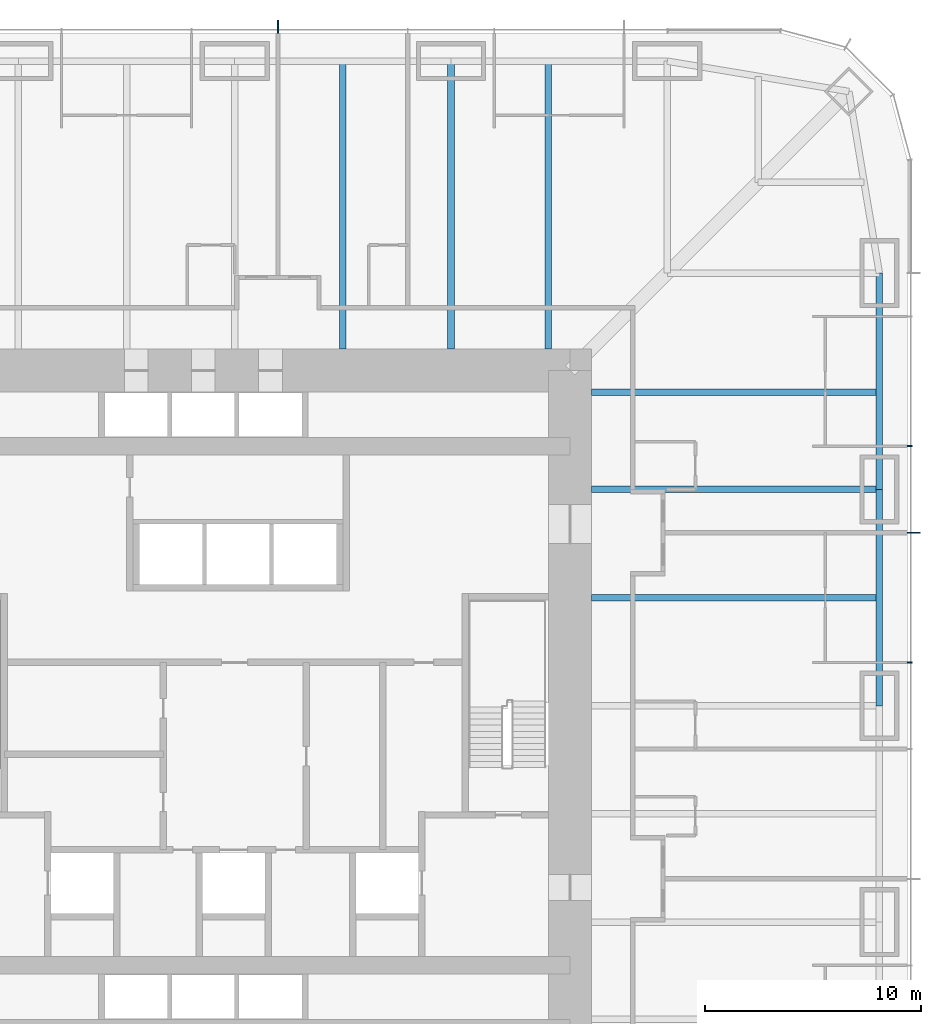
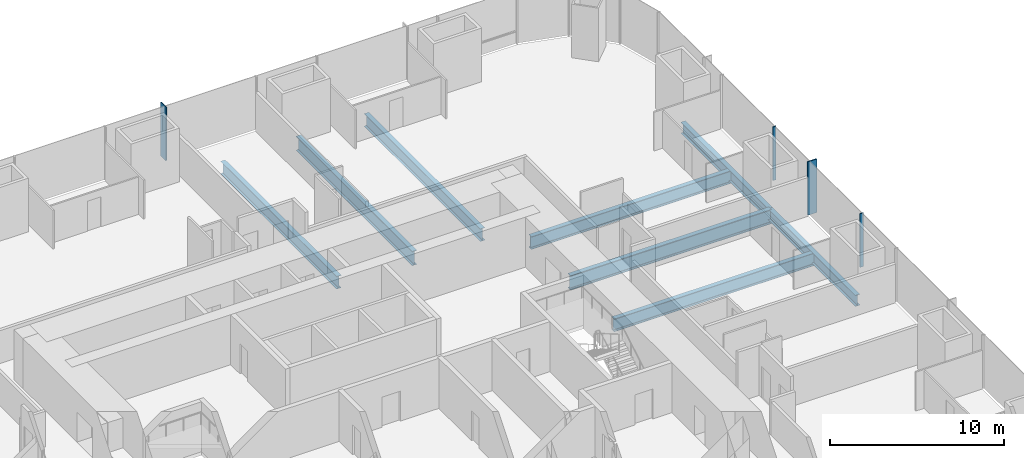
# One storey, part 8 of 16: 8 beams, 4 members, 2 elements without a shape of their own.
"""IFC4 building model written with IfcOpenShell, lengths in metres."""

import ifcopenshell
import ifcopenshell.guid

model = None  # the IFC model being written
_history = None  # IfcOwnerHistory: only IFC2X3 demands one
_inside = {}  # id of a spatial element -> (the spatial element, [elements in it])
_under = {}  # id of a project, library or spatial element -> (it, [spatial elements below it])
_declared = {}  # id of a project -> (the project, [libraries it declares])
_typed = {}  # id of a type object -> (the type object, [elements of that type])
_made_of = {}  # id of a material, layer set ... -> (it, [elements and type objects made of it])


def new_model(schema):
    """Start an empty IFC model of exactly this schema.

    Asked for "IFC4X3", IfcOpenShell would pick the latest addendum, in which some entities
    have other attributes; the version numbers below select the first issue.
    IFC2X3 requires an IfcOwnerHistory on every rooted entity: one is made here for all.
    """
    global model, _history
    if schema == "IFC4X3":
        model = ifcopenshell.file(schema_version=(4, 3, 0, 0))
    else:
        model = ifcopenshell.file(schema=schema)
    _inside.clear()
    _under.clear()
    _declared.clear()
    _typed.clear()
    _made_of.clear()
    _history = None
    if model.schema == "IFC2X3":
        org = make("IfcOrganization", Name="unknown")
        user = make(
            "IfcPersonAndOrganization",
            ThePerson=make("IfcPerson", FamilyName="unknown"),
            TheOrganization=org,
        )
        app = make(
            "IfcApplication",
            ApplicationDeveloper=org,
            Version="unknown",
            ApplicationFullName="unknown",
            ApplicationIdentifier="unknown",
        )
        _history = make(
            "IfcOwnerHistory",
            OwningUser=user,
            OwningApplication=app,
            ChangeAction="ADDED",
            CreationDate=0,
        )
    return model


def make(cls, **values):
    """One entity of the class cls with the attributes given. An attribute that is None is left unset."""
    return model.create_entity(
        cls, **{name: value for name, value in values.items() if value is not None}
    )


def rooted(cls, **values):
    """An entity with a GlobalId (a new one), such as an element, a storey or a relation."""
    return make(cls, GlobalId=ifcopenshell.guid.new(), OwnerHistory=_history, **values)


def si_unit(unit_type, name, prefix=None):
    """IfcSIUnit, for example si_unit("LENGTHUNIT", "METRE", prefix="MILLI")."""
    return make("IfcSIUnit", UnitType=unit_type, Prefix=prefix, Name=name)


def assignment(units):
    """IfcUnitAssignment: the units of a project."""
    return None if units is None else make("IfcUnitAssignment", Units=units)


def point(xyz):
    """IfcCartesianPoint."""
    return None if xyz is None else make("IfcCartesianPoint", Coordinates=xyz)


def direction(xyz):
    """IfcDirection."""
    return None if xyz is None else make("IfcDirection", DirectionRatios=xyz)


def frame(location, z_axis=None, x_axis=None):
    """IfcAxis2Placement3D, a coordinate frame: its origin and axes. An axis left out is left unset."""
    return make(
        "IfcAxis2Placement3D",
        Location=point(location),
        Axis=direction(z_axis),
        RefDirection=direction(x_axis),
    )


def frame_2d(location, x_axis=None):
    """IfcAxis2Placement2D, a coordinate frame in the plane: its origin and x axis."""
    return make(
        "IfcAxis2Placement2D", Location=point(location), RefDirection=direction(x_axis)
    )


def origin():
    """The frame at (0, 0, 0) with its axes left unset."""
    return frame((0.0, 0.0, 0.0))


def origin_2d():
    """The frame at (0, 0) in the plane with its x axis left unset."""
    return frame_2d((0.0, 0.0))


def place(relative_to, where):
    """IfcLocalPlacement: puts the frame where relative to a parent placement (None: the world)."""
    return make(
        "IfcLocalPlacement", PlacementRelTo=relative_to, RelativePlacement=where
    )


def context(
    kind, dimensions, precision=None, world=None, true_north=None, identifier=None
):
    """IfcGeometricRepresentationContext, for example the 3D "Model" context."""
    return make(
        "IfcGeometricRepresentationContext",
        ContextIdentifier=identifier,
        ContextType=kind,
        CoordinateSpaceDimension=dimensions,
        Precision=precision,
        WorldCoordinateSystem=world,
        TrueNorth=true_north,
    )


def subcontext(parent, identifier, kind, view, scale=None):
    """IfcGeometricRepresentationSubContext, for example "Body" below "Model"."""
    return make(
        "IfcGeometricRepresentationSubContext",
        ContextIdentifier=identifier,
        ContextType=kind,
        ParentContext=parent,
        TargetScale=scale,
        TargetView=view,
    )


def project(units=None, contexts=None):
    """IfcProject with its units and contexts."""
    return rooted(
        "IfcProject",
        Name="project",
        RepresentationContexts=contexts,
        UnitsInContext=assignment(units),
    )


def spatial(cls, under=None, at=None, **own):
    """A site, building, storey or space (cls), placed at a placement, below another one or the project."""
    s = rooted(cls, ObjectPlacement=at, **own)
    if under is not None:
        _under.setdefault(under.id(), (under, []))[1].append(s)
    return s


def profile(cls, at=None, kind="AREA", **sizes):
    """A parametric profile (cls). Its sizes go by their IFC names, for example OverallWidth=200.0."""
    return make(cls, ProfileType=kind, Position=at, **sizes)


def rectangle(**sizes):
    """IfcRectangleProfileDef."""
    return profile("IfcRectangleProfileDef", **sizes)


def i_section(**sizes):
    """IfcIShapeProfileDef."""
    return profile("IfcIShapeProfileDef", **sizes)


def extrude(swept, where, along, depth):
    """IfcExtrudedAreaSolid: the profile swept, set in the frame where, extruded along a direction by depth."""
    return make(
        "IfcExtrudedAreaSolid",
        SweptArea=swept,
        Position=where,
        ExtrudedDirection=direction(along),
        Depth=depth,
    )


def shape(context_of_items, identifier, shape_type, items):
    """IfcShapeRepresentation: the items that make up one representation, for example the "Body"."""
    return make(
        "IfcShapeRepresentation",
        ContextOfItems=context_of_items,
        RepresentationIdentifier=identifier,
        RepresentationType=shape_type,
        Items=items,
    )


def material(Name=None, Category=None):
    """IfcMaterial."""
    return make("IfcMaterial", Name=Name, Category=Category)


def material_profile(
    of_material, cross_section, Name=None, Category=None, Priority=None
):
    """IfcMaterialProfile: a cross section and its material."""
    return make(
        "IfcMaterialProfile",
        Name=Name,
        Material=of_material,
        Profile=cross_section,
        Priority=Priority,
        Category=Category,
    )


def profile_set(profiles, Name=None, composite=None):
    """IfcMaterialProfileSet."""
    return make(
        "IfcMaterialProfileSet",
        Name=Name,
        MaterialProfiles=profiles,
        CompositeProfile=composite,
    )


def made_of(thing, what):
    """Note that an element or type object is made of a material, layer set ...; save() writes the relation."""
    if what is not None:
        _made_of.setdefault(what.id(), (what, []))[1].append(thing)
    return thing


def type_object(cls, material=None, **own):
    """A type object (cls), such as IfcWallType, which elements share."""
    return made_of(rooted(cls, **own), material)


def element(
    cls,
    number,
    at=None,
    inside=None,
    cuts=None,
    type_object=None,
    material=None,
    context=None,
    identifier="Body",
    shape_type=None,
    held_by="IfcProductDefinitionShape",
    body=None,
    shapes=None,
    **own,
):
    """One element of the class cls, such as IfcWall. Its Tag is "e" and its number.

    at: its placement. inside: the storey or other place that contains it. cuts: it is an
    opening in that element (IfcRelVoidsElement). A single representation is given by context,
    identifier, shape_type and body (its items); several are given by shapes. held_by: the class
    of the entity that holds the representations. save() writes the other relations.
    """
    e = rooted(cls, Tag="e%d" % number, ObjectPlacement=at, **own)
    if body is not None:
        shapes = [shape(context, identifier, shape_type, body)]
    if shapes is not None:
        e.Representation = make(held_by, Representations=shapes)
    if inside is not None:
        _inside.setdefault(inside.id(), (inside, []))[1].append(e)
    if cuts is not None:
        rooted(
            "IfcRelVoidsElement", RelatingBuildingElement=cuts, RelatedOpeningElement=e
        )
    if type_object is not None:
        _typed.setdefault(type_object.id(), (type_object, []))[1].append(e)
    return made_of(e, material)


def aggregate(whole, parts):
    """IfcRelAggregates: a whole, such as a stair, and the parts it consists of."""
    return rooted("IfcRelAggregates", RelatingObject=whole, RelatedObjects=parts)


def save(model, path):
    """Write the relations noted so far, then the file.

    IfcRelAggregates (storeys below a building ...), IfcRelContainedInSpatialStructure (elements
    in a storey), IfcRelDefinesByType, IfcRelAssociatesMaterial and IfcRelDeclares: one each for
    every whole, place, type object, material and project.
    """
    for whole, parts in _under.values():
        aggregate(whole, parts)
    for where, things in _inside.values():
        rooted(
            "IfcRelContainedInSpatialStructure",
            RelatedElements=things,
            RelatingStructure=where,
        )
    for kind, things in _typed.values():
        rooted("IfcRelDefinesByType", RelatedObjects=things, RelatingType=kind)
    for what, things in _made_of.values():
        rooted("IfcRelAssociatesMaterial", RelatedObjects=things, RelatingMaterial=what)
    for by, libraries in _declared.values():
        rooted("IfcRelDeclares", RelatingContext=by, RelatedDefinitions=libraries)
    model.write(path)


model = new_model("IFC4")

# Units and contexts
model_context = context("Model", 3, precision=1e-05, world=origin(), true_north=direction((0.0, 1.0)))
body_context = subcontext(model_context, "Body", "Model", "MODEL_VIEW")
ifc_project = project(units=[si_unit("LENGTHUNIT", "METRE"), si_unit("AREAUNIT", "SQUARE_METRE"), si_unit("VOLUMEUNIT", "CUBIC_METRE"), si_unit("PLANEANGLEUNIT", "RADIAN"), si_unit("MASSUNIT", "GRAM", prefix="KILO")], contexts=[model_context])

# Site, building, storey
site_placement = place(None, origin())
site = spatial("IfcSite", under=ifc_project, at=site_placement, CompositionType="ELEMENT")
building_placement = place(site_placement, origin())
building = spatial("IfcBuilding", under=site, at=building_placement, Name="Khuree Lantern Residences", CompositionType="ELEMENT")
storey_placement = place(building_placement, frame((0.0, 0.0, 81.0)))
storey = spatial("IfcBuildingStorey", under=building, at=storey_placement, Name="L20", CompositionType="ELEMENT", Elevation=81.0)

# Beams
ifc_material_1 = material(Name="Steel S355", Category="steel")
ifc_material_profile_1 = material_profile(ifc_material_1, i_section(OverallWidth=0.300048828125, OverallDepth=0.889892578125, WebThickness=0.01611328125, FlangeThickness=0.030029296875, FilletRadius=0.030029296875, at=origin_2d()), Name="HE 900 A")
ifc_profile_set_1 = profile_set([ifc_material_profile_1], Name="Steel S355")
beam_type_1 = type_object("IfcBeamType", Name="B-14 SECONDARY BEAM HE 900 A", PredefinedType="BEAM", material=ifc_profile_set_1)
for number, where, z_axis, x_axis, name in (
    (1, (5.0, 29.800048828125, -0.695068359375), (0.0, -1.0, 0.0), (1.0, 0.0, 0.0), "Secondary beam N3"),
    (2, (14.5, 29.800048828125, -0.695068359375), (0.0, -1.0, 0.0), (1.0, 0.0, 0.0), "Secondary beam N4"),
    (3, (29.800048828125, 14.5, -0.695068359375), (-1.0, 0.0, 0.0), (0.0, -1.0, 0.0), "Secondary beam E2"),
    (4, (29.800048828125, 5.0, -0.695068359375), (-1.0, 0.0, 0.0), (0.0, -1.0, 0.0), "Secondary beam E3"),
):
    element("IfcBeam", number, at=place(storey_placement, frame(where, z_axis=z_axis, x_axis=x_axis)), inside=storey, type_object=beam_type_1, Name=name, PredefinedType="BEAM", context=body_context, shape_type="SweptSolid", body=[
        extrude(i_section(OverallWidth=0.300048828125, OverallDepth=0.889892578125, WebThickness=0.01611328125, FlangeThickness=0.030029296875, FilletRadius=0.030029296875, at=origin_2d()), origin(), (0.0, 0.0, 1.0), 13.300048828125),
    ])
ifc_material_profile_2 = material_profile(ifc_material_1, i_section(OverallWidth=0.300048828125, OverallDepth=0.7900390625, WebThickness=0.014892578125, FlangeThickness=0.028076171875, FilletRadius=0.030029296875, at=origin_2d()), Name="HE 800 A")
ifc_profile_set_2 = profile_set([ifc_material_profile_2], Name="Steel S355")
beam_type_2 = type_object("IfcBeamType", Name="E-14 SPANDREL BEAM HE 800 A", PredefinedType="SPANDREL", material=ifc_profile_set_2)
for number, where, z_axis, x_axis, name in (
    (5, (29.800048828125, 20.0, -0.64501953125), (0.0, -1.0, 0.0), (1.0, 0.0, 0.0), "Spandrel beam E2"),
    (6, (29.800048828125, 10.0, -0.64501953125), (0.0, -1.0, 0.0), (1.0, 0.0, 0.0), "Spandrel beam E3"),
):
    element("IfcBeam", number, at=place(storey_placement, frame(where, z_axis=z_axis, x_axis=x_axis)), inside=storey, type_object=beam_type_2, Name=name, PredefinedType="SPANDREL", context=body_context, shape_type="SweptSolid", body=[
        extrude(i_section(OverallWidth=0.300048828125, OverallDepth=0.7900390625, WebThickness=0.014892578125, FlangeThickness=0.028076171875, FilletRadius=0.030029296875, at=origin_2d()), origin(), (0.0, 0.0, 1.0), 10.0),
    ])

# Curtain wall, member
ifc_material_2 = material(Name="Bronze anodised aluminium", Category="aluminium")
curtain_wall_type = type_object("IfcCurtainWallType", Name="CW-T1 TOWER FACE CURTAIN WALL", PredefinedType="USERDEFINED", material=ifc_material_2)
curtain_wall_1_placement = place(storey_placement, origin())
curtain_wall_1 = element("IfcCurtainWall", 7, at=curtain_wall_1_placement, inside=storey, type_object=curtain_wall_type, Name="L20 EAST FACE CURTAIN WALL", ObjectType="Stick-built curtain wall", PredefinedType="USERDEFINED")
ifc_material_profile_3 = material_profile(ifc_material_2, rectangle(XDim=0.06494140625, YDim=0.60009765625, at=origin_2d()), Name="F1 65X600")
ifc_profile_set_3 = profile_set([ifc_material_profile_3], Name="Bronze anodised aluminium")
member_type_1 = type_object("IfcMemberType", Name="F1 BRONZE FIN MULLION TOWER 65X600", PredefinedType="MULLION", material=ifc_profile_set_3)
member_1_placement = place(storey_placement, frame((31.39990234375, 8.0, 0.0), z_axis=(0.0, 0.0, 1.0), x_axis=(0.0, 1.0, 0.0)))
member_1 = element("IfcMember", 8, at=member_1_placement, type_object=member_type_1, Name="L20 EAST FACE FIN MULLION 11", PredefinedType="MULLION", context=body_context, shape_type="SweptSolid", body=[
    extrude(rectangle(XDim=0.06494140625, YDim=0.60009765625, at=origin_2d()), origin(), (0.0, 0.0, 1.0), 3.75),
])

curtain_wall_2_placement = place(storey_placement, origin())
curtain_wall_2 = element("IfcCurtainWall", 9, at=curtain_wall_2_placement, inside=storey, type_object=curtain_wall_type, Name="L20 NORTH FACE CURTAIN WALL", ObjectType="Stick-built curtain wall", PredefinedType="USERDEFINED")
member_2_placement = place(storey_placement, frame((2.0, 31.39990234375, 0.0), z_axis=(0.0, 0.0, 1.0), x_axis=(-1.0, 0.0, 0.0)))
member_2 = element("IfcMember", 10, at=member_2_placement, type_object=member_type_1, Name="L20 NORTH FACE FIN MULLION 23", PredefinedType="MULLION", context=body_context, shape_type="SweptSolid", body=[
    extrude(rectangle(XDim=0.06494140625, YDim=0.60009765625, at=origin_2d()), origin(), (0.0, 0.0, 1.0), 3.75),
])
aggregate(curtain_wall_2, [member_2])

# Beams
ifc_material_profile_4 = material_profile(ifc_material_1, i_section(OverallWidth=0.302001953125, OverallDepth=1.008056640625, WebThickness=0.02099609375, FlangeThickness=0.0400390625, FilletRadius=0.030029296875, at=origin_2d()), Name="HE 1000 M")
ifc_profile_set_4 = profile_set([ifc_material_profile_4], Name="Steel S355")
beam_type_3 = type_object("IfcBeamType", Name="G-14 GIRDER HE 1000 M", PredefinedType="BEAM", material=ifc_profile_set_4)
for number, where, z_axis, x_axis, name in (
    (11, (10.0, 29.800048828125, -0.75390625), (0.0, -1.0, 0.0), (1.0, 0.0, 0.0), "Girder N4"),
    (12, (29.800048828125, 10.0, -0.75390625), (-1.0, 0.0, 0.0), (0.0, -1.0, 0.0), "Girder E2"),
):
    element("IfcBeam", number, at=place(storey_placement, frame(where, z_axis=z_axis, x_axis=x_axis)), inside=storey, type_object=beam_type_3, Name=name, PredefinedType="BEAM", context=body_context, shape_type="SweptSolid", body=[
        extrude(i_section(OverallWidth=0.302001953125, OverallDepth=1.008056640625, WebThickness=0.02099609375, FlangeThickness=0.0400390625, FilletRadius=0.030029296875, at=origin_2d()), origin(), (0.0, 0.0, 1.0), 13.300048828125),
    ])

# Member
ifc_material_profile_5 = material_profile(ifc_material_2, rectangle(XDim=0.06494140625, YDim=0.219970703125, at=origin_2d()), Name="M1 65X220")
ifc_profile_set_5 = profile_set([ifc_material_profile_5], Name="Bronze anodised aluminium")
member_type_2 = type_object("IfcMemberType", Name="M1 BRONZE MULLION TOWER 65X220", PredefinedType="MULLION", material=ifc_profile_set_5)
member_3_placement = place(storey_placement, frame((31.2099609375, 2.0, 0.0), z_axis=(0.0, 0.0, 1.0), x_axis=(0.0, 1.0, 0.0)))
member_3 = element("IfcMember", 13, at=member_3_placement, type_object=member_type_2, Name="L20 EAST FACE MULLION 10", PredefinedType="MULLION", context=body_context, shape_type="SweptSolid", body=[
    extrude(rectangle(XDim=0.06494140625, YDim=0.219970703125, at=origin_2d()), origin(), (0.0, 0.0, 1.0), 3.75),
])

member_4_placement = place(storey_placement, frame((31.2099609375, 12.0, 0.0), z_axis=(0.0, 0.0, 1.0), x_axis=(0.0, 1.0, 0.0)))
member_4 = element("IfcMember", 14, at=member_4_placement, type_object=member_type_2, Name="L20 EAST FACE MULLION 12", PredefinedType="MULLION", context=body_context, shape_type="SweptSolid", body=[
    extrude(rectangle(XDim=0.06494140625, YDim=0.219970703125, at=origin_2d()), origin(), (0.0, 0.0, 1.0), 3.75),
])

aggregate(curtain_wall_1, [member_3, member_1, member_4])

save(model, "model.ifc")
